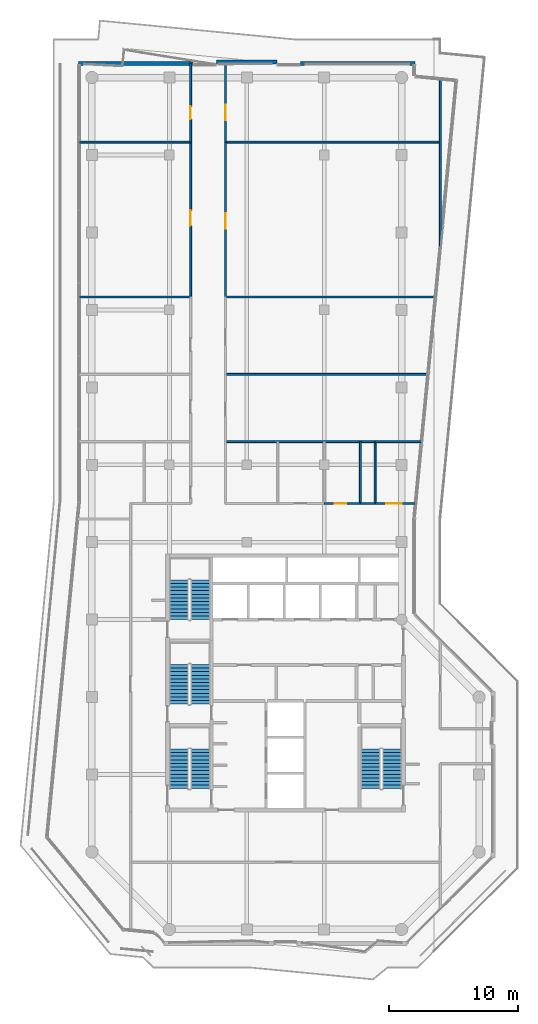
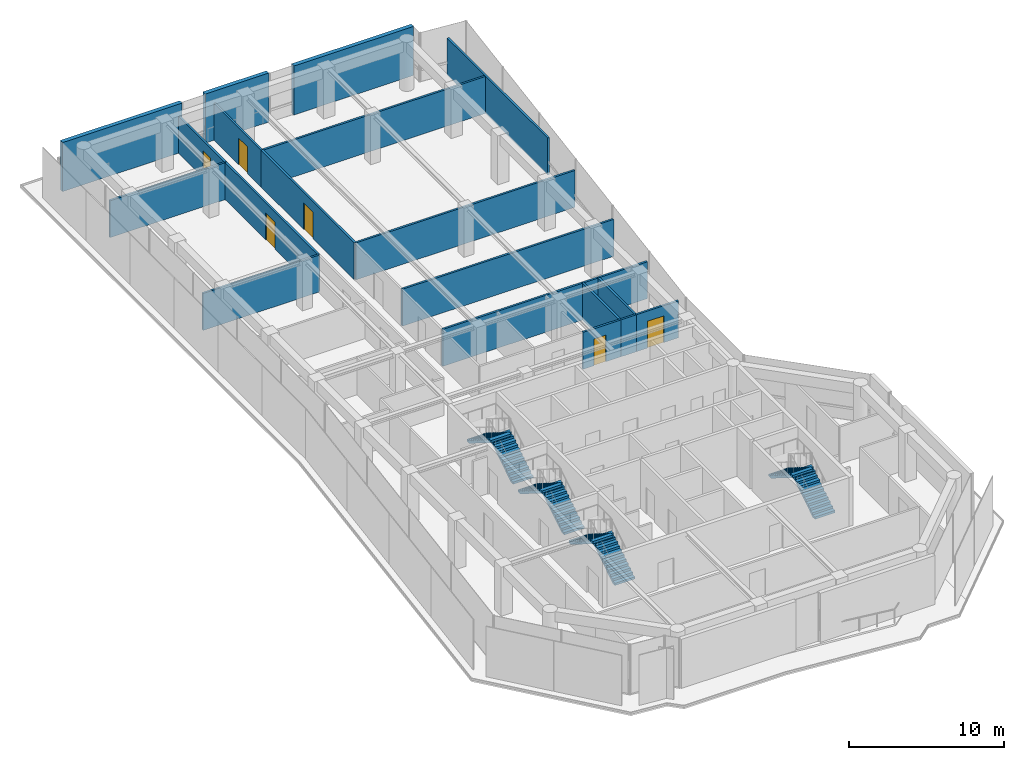
# One storey, part 23 of 25: 20 walls, 8 stair flights, 6 doors, 6 openings, 4 elements without a shape of their own.
"""IFC4 building model written with IfcOpenShell, lengths in metres."""

from ifc_helpers import new_model, si_unit, direction, frame, frame_2d, origin, place, context, subcontext, project, spatial, polyline, rectangle, outline, extrude, material, layer, layer_set, type_object, element, fill, aggregate, save


model = new_model("IFC4")

# Units and contexts
model_context = context("Model", 3, precision=1e-05, world=origin(), true_north=direction((0.0, 1.0)))
body_context = subcontext(model_context, "Body", "Model", "MODEL_VIEW")
ifc_project = project(units=[si_unit("LENGTHUNIT", "METRE"), si_unit("AREAUNIT", "SQUARE_METRE"), si_unit("VOLUMEUNIT", "CUBIC_METRE"), si_unit("PLANEANGLEUNIT", "RADIAN"), si_unit("MASSUNIT", "GRAM", prefix="KILO")], contexts=[model_context])

# Site, building, storey
site_placement = place(None, origin())
site = spatial("IfcSite", under=ifc_project, at=site_placement, CompositionType="ELEMENT")
building_placement = place(site_placement, origin())
building = spatial("IfcBuilding", under=site, at=building_placement, Name="Welwitschia Terrace Campus", CompositionType="ELEMENT")
storey_placement = place(building_placement, frame((0.0, 0.0, 264.199951171875)))
storey = spatial("IfcBuildingStorey", under=building, at=storey_placement, Name="L58", CompositionType="ELEMENT", Elevation=264.199951171875)

# Walls
ifc_material_1 = material(Name="Gypsum board on steel studs", Category="steel")
ifc_layer_1 = layer(ifc_material_1, 0.14990234375)
ifc_layer_set_1 = layer_set([ifc_layer_1], Name="Gypsum board on steel studs")
wall_type_1 = type_object("IfcWallType", Name="Corridor partition 150 EI 30", PredefinedType="PARTITIONING", material=ifc_layer_set_1)
for number, where, z_axis, x_axis, name in (
    (1, (-0.97998046875, 45.0, 0.0), (0.0, 0.0, 1.0), (1.0, 0.0, 0.0), "Partition"),
    (2, (-0.97998046875, 57.0, 0.0), (0.0, 0.0, 1.0), (1.0, 0.0, 0.0), "Partition"),
):
    element("IfcWall", number, at=place(storey_placement, frame(where, z_axis=z_axis, x_axis=x_axis)), inside=storey, type_object=wall_type_1, Name=name, PredefinedType="PARTITIONING", context=body_context, shape_type="SweptSolid", body=[
        extrude(rectangle(XDim=8.6298828125, YDim=0.14990234375, at=frame_2d((4.31494140625, 0.0))), origin(), (0.0, 0.0, 1.0), 2.900146484375),
    ])

# Wall, opening, door
wall_1_placement = place(storey_placement, frame((7.64990234375, 57.0, 0.0), z_axis=(0.0, 0.0, 1.0), x_axis=(0.0, -1.0, 0.0)))
wall_1 = element("IfcWall", 3, at=wall_1_placement, inside=storey, type_object=wall_type_1, Name="Partition", PredefinedType="PARTITIONING", context=body_context, shape_type="SweptSolid", body=[
    extrude(rectangle(XDim=12.0, YDim=0.14990234375, at=frame_2d((6.0, 0.0))), origin(), (0.0, 0.0, 1.0), 2.900146484375),
])
opening_1_placement = place(wall_1_placement, frame((5.300048828125, 0.0, 0.0)))
opening_1 = element("IfcOpeningElement", 4, at=opening_1_placement, cuts=wall_1, Name="Opening DI12", PredefinedType="OPENING", context=body_context, shape_type="SweptSolid", body=[
    extrude(rectangle(XDim=1.199951171875, YDim=2.10009765625, at=frame_2d((0.60009765625, 1.050048828125))), frame((0.0, 0.0849609375, 0.0), z_axis=(0.0, -1.0, 0.0), x_axis=(1.0, 0.0, 0.0)), (0.0, 0.0, 1.0), 0.169921875),
])
ifc_material_2 = material(Name="Timber veneered door", Category="wood")
door_type_1 = type_object("IfcDoorType", Name="Interior door DI12", OperationType="NOTDEFINED", PredefinedType="DOOR", material=ifc_material_2)
door_1_placement = place(opening_1_placement, origin())
door_1 = element("IfcDoor", 5, at=door_1_placement, inside=storey, type_object=door_type_1, Name="Door L58 1044", OperationType="SINGLE_SWING_LEFT", OverallHeight=2.10009765625, OverallWidth=1.199951171875, PredefinedType="DOOR", context=body_context, shape_type="SweptSolid", body=[
    extrude(rectangle(XDim=1.199951171875, YDim=2.10009765625, at=frame_2d((0.60009765625, 1.050048828125))), frame((0.0, 0.02490234375, 0.0), z_axis=(0.0, -1.0, 0.0), x_axis=(1.0, 0.0, 0.0)), (0.0, 0.0, 1.0), 0.050048828125),
])
fill(opening_1, door_1)

wall_2_placement = place(storey_placement, frame((7.64990234375, 57.0, 0.0), z_axis=(0.0, 0.0, 1.0), x_axis=(0.0, 1.0, 0.0)))
wall_2 = element("IfcWall", 6, at=wall_2_placement, inside=storey, type_object=wall_type_1, Name="Partition", PredefinedType="PARTITIONING", context=body_context, shape_type="SweptSolid", body=[
    extrude(rectangle(XDim=6.090087890625, YDim=0.14990234375, at=frame_2d((3.044921875, 0.0))), origin(), (0.0, 0.0, 1.0), 2.900146484375),
])
opening_2_placement = place(wall_2_placement, frame((1.780029296875, 0.0, 0.0)))
opening_2 = element("IfcOpeningElement", 7, at=opening_2_placement, cuts=wall_2, Name="Opening DI10", PredefinedType="OPENING", context=body_context, shape_type="SweptSolid", body=[
    extrude(rectangle(XDim=1.0, YDim=2.10009765625, at=frame_2d((0.5, 1.050048828125))), frame((0.0, 0.0849609375, 0.0), z_axis=(0.0, -1.0, 0.0), x_axis=(1.0, 0.0, 0.0)), (0.0, 0.0, 1.0), 0.169921875),
])
ifc_material_3 = material(Name="Timber veneered door", Category="wood")
door_type_2 = type_object("IfcDoorType", Name="Interior door DI10", OperationType="NOTDEFINED", PredefinedType="DOOR", material=ifc_material_3)
door_2_placement = place(opening_2_placement, origin())
door_2 = element("IfcDoor", 8, at=door_2_placement, inside=storey, type_object=door_type_2, Name="Door L58 1045", OperationType="SINGLE_SWING_RIGHT", OverallHeight=2.10009765625, OverallWidth=1.0, PredefinedType="DOOR", context=body_context, shape_type="SweptSolid", body=[
    extrude(rectangle(XDim=1.0, YDim=2.10009765625, at=frame_2d((0.5, 1.050048828125))), frame((0.0, 0.02490234375, 0.0), z_axis=(0.0, -1.0, 0.0), x_axis=(1.0, 0.0, 0.0)), (0.0, 0.0, 1.0), 0.050048828125),
])
fill(opening_2, door_2)

# Walls
wall_3_placement = place(storey_placement, frame((10.35009765625, 33.800048828125, 0.0), z_axis=(0.0, 0.0, 1.0), x_axis=(1.0, 0.0, 0.0)))
element("IfcWall", 9, at=wall_3_placement, inside=storey, type_object=wall_type_1, Name="Partition", PredefinedType="PARTITIONING", context=body_context, shape_type="SweptSolid", body=[
    extrude(rectangle(XDim=11.599853515625, YDim=0.14990234375, at=frame_2d((5.7998046875, 0.0))), origin(), (0.0, 0.0, 1.0), 2.900146484375),
])
wall_4_placement = place(storey_placement, frame((10.35009765625, 39.0, 0.0), z_axis=(0.0, 0.0, 1.0), x_axis=(1.0, 0.0, 0.0)))
element("IfcWall", 10, at=wall_4_placement, inside=storey, type_object=wall_type_1, Name="Partition", PredefinedType="PARTITIONING", context=body_context, shape_type="SweptSolid", body=[
    extrude(rectangle(XDim=15.699951171875, YDim=0.14990234375, at=frame_2d((7.85009765625, 0.0))), origin(), (0.0, 0.0, 1.0), 2.900146484375),
])

# Wall, opening, door
wall_5_placement = place(storey_placement, frame((10.35009765625, 45.0, 0.0), z_axis=(0.0, 0.0, 1.0), x_axis=(0.0, 1.0, 0.0)))
wall_5 = element("IfcWall", 11, at=wall_5_placement, inside=storey, type_object=wall_type_1, Name="Partition", PredefinedType="PARTITIONING", context=body_context, shape_type="SweptSolid", body=[
    extrude(rectangle(XDim=12.0, YDim=0.14990234375, at=frame_2d((6.0, 0.0))), origin(), (0.0, 0.0, 1.0), 2.900146484375),
])
opening_3_placement = place(wall_5_placement, frame((5.300048828125, 0.0, 0.0)))
opening_3 = element("IfcOpeningElement", 12, at=opening_3_placement, cuts=wall_5, Name="Opening DI12", PredefinedType="OPENING", context=body_context, shape_type="SweptSolid", body=[
    extrude(rectangle(XDim=1.199951171875, YDim=2.10009765625, at=frame_2d((0.60009765625, 1.050048828125))), frame((0.0, 0.0849609375, 0.0), z_axis=(0.0, -1.0, 0.0), x_axis=(1.0, 0.0, 0.0)), (0.0, 0.0, 1.0), 0.169921875),
])
door_3_placement = place(opening_3_placement, origin())
door_3 = element("IfcDoor", 13, at=door_3_placement, inside=storey, type_object=door_type_1, Name="Door L58 1048", OperationType="SINGLE_SWING_LEFT", OverallHeight=2.10009765625, OverallWidth=1.199951171875, PredefinedType="DOOR", context=body_context, shape_type="SweptSolid", body=[
    extrude(rectangle(XDim=1.199951171875, YDim=2.10009765625, at=frame_2d((0.60009765625, 1.050048828125))), frame((0.0, 0.02490234375, 0.0), z_axis=(0.0, -1.0, 0.0), x_axis=(1.0, 0.0, 0.0)), (0.0, 0.0, 1.0), 0.050048828125),
])
fill(opening_3, door_3)

# Wall
wall_6_placement = place(storey_placement, frame((10.35009765625, 45.0, 0.0), z_axis=(0.0, 0.0, 1.0), x_axis=(1.0, 0.0, 0.0)))
element("IfcWall", 14, at=wall_6_placement, inside=storey, type_object=wall_type_1, Name="Partition", PredefinedType="PARTITIONING", context=body_context, shape_type="SweptSolid", body=[
    extrude(rectangle(XDim=16.27978515625, YDim=0.14990234375, at=frame_2d((8.139892578125, 0.0))), origin(), (0.0, 0.0, 1.0), 2.900146484375),
])

# Wall, opening, door
wall_7_placement = place(storey_placement, frame((10.35009765625, 57.0, 0.0), z_axis=(0.0, 0.0, 1.0), x_axis=(0.0, 1.0, 0.0)))
wall_7 = element("IfcWall", 15, at=wall_7_placement, inside=storey, type_object=wall_type_1, Name="Partition", PredefinedType="PARTITIONING", context=body_context, shape_type="SweptSolid", body=[
    extrude(rectangle(XDim=6.090087890625, YDim=0.14990234375, at=frame_2d((3.044921875, 0.0))), origin(), (0.0, 0.0, 1.0), 2.900146484375),
])
opening_4_placement = place(wall_7_placement, frame((1.699951171875, 0.0, 0.0)))
opening_4 = element("IfcOpeningElement", 16, at=opening_4_placement, cuts=wall_7, Name="Opening DI12", PredefinedType="OPENING", context=body_context, shape_type="SweptSolid", body=[
    extrude(rectangle(XDim=1.199951171875, YDim=2.10009765625, at=frame_2d((0.60009765625, 1.050048828125))), frame((0.0, 0.0849609375, 0.0), z_axis=(0.0, -1.0, 0.0), x_axis=(1.0, 0.0, 0.0)), (0.0, 0.0, 1.0), 0.169921875),
])
door_4_placement = place(opening_4_placement, origin())
door_4 = element("IfcDoor", 17, at=door_4_placement, inside=storey, type_object=door_type_1, Name="Door L58 1049", OperationType="SINGLE_SWING_RIGHT", OverallHeight=2.10009765625, OverallWidth=1.199951171875, PredefinedType="DOOR", context=body_context, shape_type="SweptSolid", body=[
    extrude(rectangle(XDim=1.199951171875, YDim=2.10009765625, at=frame_2d((0.60009765625, 1.050048828125))), frame((0.0, 0.02490234375, 0.0), z_axis=(0.0, -1.0, 0.0), x_axis=(1.0, 0.0, 0.0)), (0.0, 0.0, 1.0), 0.050048828125),
])
fill(opening_4, door_4)

# Wall
wall_8_placement = place(storey_placement, frame((10.35009765625, 57.0, 0.0), z_axis=(0.0, 0.0, 1.0), x_axis=(1.0, 0.0, 0.0)))
element("IfcWall", 18, at=wall_8_placement, inside=storey, type_object=wall_type_1, Name="Partition", PredefinedType="PARTITIONING", context=body_context, shape_type="SweptSolid", body=[
    extrude(rectangle(XDim=16.64990234375, YDim=0.14990234375, at=frame_2d((8.324951171875, 0.0))), origin(), (0.0, 0.0, 1.0), 2.900146484375),
])

# Wall, opening, door
wall_9_placement = place(storey_placement, frame((18.0, 29.0, 0.0), z_axis=(0.0, 0.0, 1.0), x_axis=(1.0, 0.0, 0.0)))
wall_9 = element("IfcWall", 19, at=wall_9_placement, inside=storey, type_object=wall_type_1, Name="Partition", PredefinedType="PARTITIONING", context=body_context, shape_type="SweptSolid", body=[
    extrude(rectangle(XDim=2.800048828125, YDim=0.14990234375, at=frame_2d((1.39990234375, 0.0))), origin(), (0.0, 0.0, 1.0), 2.900146484375),
])
opening_5_placement = place(wall_9_placement, frame((0.800048828125, 0.0, 0.0)))
opening_5 = element("IfcOpeningElement", 20, at=opening_5_placement, cuts=wall_9, Name="Opening DI09", PredefinedType="OPENING", context=body_context, shape_type="SweptSolid", body=[
    extrude(rectangle(XDim=0.89990234375, YDim=2.10009765625, at=frame_2d((0.449951171875, 1.050048828125))), frame((0.0, 0.0849609375, 0.0), z_axis=(0.0, -1.0, 0.0), x_axis=(1.0, 0.0, 0.0)), (0.0, 0.0, 1.0), 0.169921875),
])
ifc_material_4 = material(Name="Timber veneered door", Category="wood")
door_type_3 = type_object("IfcDoorType", Name="Interior door DI09", OperationType="NOTDEFINED", PredefinedType="DOOR", material=ifc_material_4)
door_5_placement = place(opening_5_placement, origin())
door_5 = element("IfcDoor", 21, at=door_5_placement, inside=storey, type_object=door_type_3, Name="Door L58 1051", OperationType="SINGLE_SWING_RIGHT", OverallHeight=2.10009765625, OverallWidth=0.89990234375, PredefinedType="DOOR", context=body_context, shape_type="SweptSolid", body=[
    extrude(rectangle(XDim=0.89990234375, YDim=2.10009765625, at=frame_2d((0.449951171875, 1.050048828125))), frame((0.0, 0.02490234375, 0.0), z_axis=(0.0, -1.0, 0.0), x_axis=(1.0, 0.0, 0.0)), (0.0, 0.0, 1.0), 0.050048828125),
])
fill(opening_5, door_5)

# Walls
wall_10_placement = place(storey_placement, frame((20.800048828125, 29.0, 0.0), z_axis=(0.0, 0.0, 1.0), x_axis=(0.0, 1.0, 0.0)))
element("IfcWall", 22, at=wall_10_placement, inside=storey, type_object=wall_type_1, Name="Partition", PredefinedType="PARTITIONING", context=body_context, shape_type="SweptSolid", body=[
    extrude(rectangle(XDim=4.800048828125, YDim=0.14990234375, at=frame_2d((2.39990234375, 0.0))), origin(), (0.0, 0.0, 1.0), 2.900146484375),
])
wall_11_placement = place(storey_placement, frame((20.800048828125, 29.0, 0.0), z_axis=(0.0, 0.0, 1.0), x_axis=(1.0, 0.0, 0.0)))
element("IfcWall", 23, at=wall_11_placement, inside=storey, type_object=wall_type_1, Name="Partition", PredefinedType="PARTITIONING", context=body_context, shape_type="SweptSolid", body=[
    extrude(rectangle(XDim=1.14990234375, YDim=0.14990234375, at=frame_2d((0.574951171875, 0.0))), origin(), (0.0, 0.0, 1.0), 2.900146484375),
])
wall_12_placement = place(storey_placement, frame((21.949951171875, 29.0, 0.0), z_axis=(0.0, 0.0, 1.0), x_axis=(0.0, 1.0, 0.0)))
element("IfcWall", 24, at=wall_12_placement, inside=storey, type_object=wall_type_1, Name="Partition", PredefinedType="PARTITIONING", context=body_context, shape_type="SweptSolid", body=[
    extrude(rectangle(XDim=4.800048828125, YDim=0.14990234375, at=frame_2d((2.39990234375, 0.0))), origin(), (0.0, 0.0, 1.0), 2.900146484375),
])

# Wall, opening, door
wall_13_placement = place(storey_placement, frame((21.949951171875, 29.0, 0.0), z_axis=(0.0, 0.0, 1.0), x_axis=(1.0, 0.0, 0.0)))
wall_13 = element("IfcWall", 25, at=wall_13_placement, inside=storey, type_object=wall_type_1, Name="Partition", PredefinedType="PARTITIONING", context=body_context, shape_type="SweptSolid", body=[
    extrude(rectangle(XDim=3.14013671875, YDim=0.14990234375, at=frame_2d((1.570068359375, 0.0))), origin(), (0.0, 0.0, 1.0), 2.900146484375),
])
opening_6_placement = place(wall_13_placement, frame((0.840087890625, 0.0, 0.0)))
opening_6 = element("IfcOpeningElement", 26, at=opening_6_placement, cuts=wall_13, Name="Opening DX12", PredefinedType="OPENING", context=body_context, shape_type="SweptSolid", body=[
    extrude(rectangle(XDim=1.199951171875, YDim=2.10009765625, at=frame_2d((0.60009765625, 1.050048828125))), frame((0.0, 0.0849609375, 0.0), z_axis=(0.0, -1.0, 0.0), x_axis=(1.0, 0.0, 0.0)), (0.0, 0.0, 1.0), 0.169921875),
])
ifc_material_5 = material(Name="Timber veneered door", Category="wood")
door_type_4 = type_object("IfcDoorType", Name="Interior door DX12", OperationType="NOTDEFINED", PredefinedType="DOOR", material=ifc_material_5)
door_6_placement = place(opening_6_placement, origin())
door_6 = element("IfcDoor", 27, at=door_6_placement, inside=storey, type_object=door_type_4, Name="Door L58 1052", OperationType="SINGLE_SWING_LEFT", OverallHeight=2.10009765625, OverallWidth=1.199951171875, PredefinedType="DOOR", context=body_context, shape_type="SweptSolid", body=[
    extrude(rectangle(XDim=1.199951171875, YDim=2.10009765625, at=frame_2d((0.60009765625, 1.050048828125))), frame((0.0, 0.02490234375, 0.0), z_axis=(0.0, -1.0, 0.0), x_axis=(1.0, 0.0, 0.0)), (0.0, 0.0, 1.0), 0.050048828125),
])
fill(opening_6, door_6)

# Walls
wall_14_placement = place(storey_placement, frame((21.949951171875, 33.800048828125, 0.0), z_axis=(0.0, 0.0, 1.0), x_axis=(1.0, 0.0, 0.0)))
element("IfcWall", 28, at=wall_14_placement, inside=storey, type_object=wall_type_1, Name="Partition", PredefinedType="PARTITIONING", context=body_context, shape_type="SweptSolid", body=[
    extrude(rectangle(XDim=3.60009765625, YDim=0.14990234375, at=frame_2d((1.800048828125, 0.0))), origin(), (0.0, 0.0, 1.0), 2.900146484375),
])
wall_15_placement = place(storey_placement, frame((27.0, 48.942138671875, 0.0), z_axis=(0.0, 0.0, 1.0), x_axis=(0.0, 1.0, 0.0)))
element("IfcWall", 29, at=wall_15_placement, inside=storey, type_object=wall_type_1, Name="Partition", PredefinedType="PARTITIONING", context=body_context, shape_type="SweptSolid", body=[
    extrude(rectangle(XDim=12.94775390625, YDim=0.14990234375, at=frame_2d((6.473876953125, 0.0))), origin(), (0.0, 0.0, 1.0), 2.900146484375),
])
ifc_material_6 = material(Name="Concrete C40/50", Category="concrete")
ifc_layer_2 = layer(ifc_material_6, 0.300048828125)
ifc_layer_set_2 = layer_set([ifc_layer_2], Name="Concrete C40/50")
wall_type_2 = type_object("IfcWallType", Name="Mass wall 300", PredefinedType="SOLIDWALL", material=ifc_layer_set_2)
wall_16_placement = place(storey_placement, frame((25.030029296875, 63.078125, 0.0), z_axis=(0.0, 0.0, 1.0), x_axis=(-1.0, 0.0, 0.0)))
element("IfcWall", 30, at=wall_16_placement, inside=storey, type_object=wall_type_2, Name="Mass wall L58.13.0", PredefinedType="SOLIDWALL", context=body_context, shape_type="SweptSolid", body=[
    extrude(rectangle(XDim=8.87255859375, YDim=0.300048828125, at=frame_2d((4.436279296875, 0.0))), origin(), (0.0, 0.0, 1.0), 3.85009765625),
])
wall_17_placement = place(storey_placement, frame((14.357421875, 63.20361328125, 0.0), z_axis=(0.0, 0.0, 1.0), x_axis=(-1.0, 0.0, 0.0)))
element("IfcWall", 31, at=wall_17_placement, inside=storey, type_object=wall_type_2, Name="Mass wall L58.13.1", PredefinedType="SOLIDWALL", context=body_context, shape_type="SweptSolid", body=[
    extrude(rectangle(XDim=4.71484375, YDim=0.300048828125, at=frame_2d((2.357421875, 0.0))), origin(), (0.0, 0.0, 1.0), 3.85009765625),
])
wall_18_placement = place(storey_placement, frame((7.842529296875, 63.078125, 0.0), z_axis=(0.0, 0.0, 1.0), x_axis=(-1.0, 0.0, 0.0)))
element("IfcWall", 32, at=wall_18_placement, inside=storey, type_object=wall_type_2, Name="Mass wall L58.13.2", PredefinedType="SOLIDWALL", context=body_context, shape_type="SweptSolid", body=[
    extrude(rectangle(XDim=8.87255859375, YDim=0.300048828125, at=frame_2d((4.436279296875, 0.0))), origin(), (0.0, 0.0, 1.0), 3.85009765625),
])

# Stair, stair flights
ifc_material_7 = material(Name="Concrete C40/50", Category="concrete")
stair_type = type_object("IfcStairType", Name="Stair 24R 175 W1500", PredefinedType="HALF_TURN_STAIR", material=ifc_material_7)
stair_1_placement = place(storey_placement, origin())
stair_1 = element("IfcStair", 33, at=stair_1_placement, inside=storey, type_object=stair_type, Name="L58 Exit stair S1", PredefinedType="HALF_TURN_STAIR")
ifc_material_8 = material(Name="Concrete C40/50", Category="concrete")
stair_flight_type = type_object("IfcStairFlightType", Name="Stair flight 24R 175 W1500", PredefinedType="STRAIGHT", material=ifc_material_8)
stair_flight_1_placement = place(storey_placement, frame((8.39990234375, 6.89990234375, 0.0), z_axis=(0.0, 0.0, 1.0), x_axis=(0.0, 1.0, 0.0)))
stair_flight_1 = element("IfcStairFlight", 34, at=stair_flight_1_placement, type_object=stair_flight_type, Name="S1 flight 1", NumberOfRisers=12, NumberOfTreads=11, PredefinedType="STRAIGHT", RiserHeight=0.175, TreadLength=0.28, context=body_context, shape_type="SweptSolid", body=[
    extrude(outline(polyline([(0.0, 0.0), (0.0, 0.175048828125), (0.280029296875, 0.175048828125), (0.280029296875, 0.35009765625), (0.56005859375, 0.35009765625), (0.56005859375, 0.52490234375), (0.840087890625, 0.52490234375), (0.840087890625, 0.699951171875), (1.1201171875, 0.699951171875), (1.1201171875, 0.875), (1.39990234375, 0.875), (1.39990234375, 1.050048828125), (1.679931640625, 1.050048828125), (1.679931640625, 1.22509765625), (1.9599609375, 1.22509765625), (1.9599609375, 1.39990234375), (2.239990234375, 1.39990234375), (2.239990234375, 1.574951171875), (2.52001953125, 1.574951171875), (2.52001953125, 1.75), (2.800048828125, 1.75), (2.800048828125, 1.925048828125), (3.080078125, 1.925048828125), (3.080078125, 2.10009765625), (3.080078125, 1.748291015625), (0.28271484375, 0.0), (0.0, 0.0)])), frame((0.0, 0.75, 0.0), z_axis=(0.0, -1.0, 0.0), x_axis=(1.0, 0.0, 0.0)), (0.0, 0.0, 1.0), 1.5),
])
stair_flight_2_placement = place(storey_placement, frame((6.75, 9.97998046875, 2.10009765625), z_axis=(0.0, 0.0, 1.0), x_axis=(0.0, -1.0, 0.0)))
stair_flight_2 = element("IfcStairFlight", 35, at=stair_flight_2_placement, type_object=stair_flight_type, Name="S1 flight 2", NumberOfRisers=12, NumberOfTreads=11, PredefinedType="STRAIGHT", RiserHeight=0.175, TreadLength=0.28, context=body_context, shape_type="SweptSolid", body=[
    extrude(outline(polyline([(0.0, 0.0), (0.0, 0.175048828125), (0.280029296875, 0.175048828125), (0.280029296875, 0.35009765625), (0.56005859375, 0.35009765625), (0.56005859375, 0.52490234375), (0.840087890625, 0.52490234375), (0.840087890625, 0.699951171875), (1.1201171875, 0.699951171875), (1.1201171875, 0.875), (1.39990234375, 0.875), (1.39990234375, 1.050048828125), (1.679931640625, 1.050048828125), (1.679931640625, 1.22509765625), (1.9599609375, 1.22509765625), (1.9599609375, 1.39990234375), (2.239990234375, 1.39990234375), (2.239990234375, 1.574951171875), (2.52001953125, 1.574951171875), (2.52001953125, 1.75), (2.800048828125, 1.75), (2.800048828125, 1.925048828125), (3.080078125, 1.925048828125), (3.080078125, 2.10009765625), (3.080078125, 1.748291015625), (0.28271484375, 0.0), (0.0, 0.0)])), frame((0.0, 0.75, 0.0), z_axis=(0.0, -1.0, 0.0), x_axis=(1.0, 0.0, 0.0)), (0.0, 0.0, 1.0), 1.5),
])
aggregate(stair_1, [stair_flight_1, stair_flight_2])

stair_2_placement = place(storey_placement, origin())
stair_2 = element("IfcStair", 36, at=stair_2_placement, inside=storey, type_object=stair_type, Name="L58 Exit stair S3", PredefinedType="HALF_TURN_STAIR")
stair_flight_3_placement = place(storey_placement, frame((8.39990234375, 13.449951171875, 0.0), z_axis=(0.0, 0.0, 1.0), x_axis=(0.0, 1.0, 0.0)))
stair_flight_3 = element("IfcStairFlight", 37, at=stair_flight_3_placement, type_object=stair_flight_type, Name="S3 flight 1", NumberOfRisers=12, NumberOfTreads=11, PredefinedType="STRAIGHT", RiserHeight=0.175, TreadLength=0.28, context=body_context, shape_type="SweptSolid", body=[
    extrude(outline(polyline([(0.0, 0.0), (0.0, 0.175048828125), (0.280029296875, 0.175048828125), (0.280029296875, 0.35009765625), (0.56005859375, 0.35009765625), (0.56005859375, 0.52490234375), (0.840087890625, 0.52490234375), (0.840087890625, 0.699951171875), (1.1201171875, 0.699951171875), (1.1201171875, 0.875), (1.39990234375, 0.875), (1.39990234375, 1.050048828125), (1.679931640625, 1.050048828125), (1.679931640625, 1.22509765625), (1.9599609375, 1.22509765625), (1.9599609375, 1.39990234375), (2.239990234375, 1.39990234375), (2.239990234375, 1.574951171875), (2.52001953125, 1.574951171875), (2.52001953125, 1.75), (2.800048828125, 1.75), (2.800048828125, 1.925048828125), (3.080078125, 1.925048828125), (3.080078125, 2.10009765625), (3.080078125, 1.748291015625), (0.28271484375, 0.0), (0.0, 0.0)])), frame((0.0, 0.75, 0.0), z_axis=(0.0, -1.0, 0.0), x_axis=(1.0, 0.0, 0.0)), (0.0, 0.0, 1.0), 1.5),
])
stair_flight_4_placement = place(storey_placement, frame((6.75, 16.530029296875, 2.10009765625), z_axis=(0.0, 0.0, 1.0), x_axis=(0.0, -1.0, 0.0)))
stair_flight_4 = element("IfcStairFlight", 38, at=stair_flight_4_placement, type_object=stair_flight_type, Name="S3 flight 2", NumberOfRisers=12, NumberOfTreads=11, PredefinedType="STRAIGHT", RiserHeight=0.175, TreadLength=0.28, context=body_context, shape_type="SweptSolid", body=[
    extrude(outline(polyline([(0.0, 0.0), (0.0, 0.175048828125), (0.280029296875, 0.175048828125), (0.280029296875, 0.35009765625), (0.56005859375, 0.35009765625), (0.56005859375, 0.52490234375), (0.840087890625, 0.52490234375), (0.840087890625, 0.699951171875), (1.1201171875, 0.699951171875), (1.1201171875, 0.875), (1.39990234375, 0.875), (1.39990234375, 1.050048828125), (1.679931640625, 1.050048828125), (1.679931640625, 1.22509765625), (1.9599609375, 1.22509765625), (1.9599609375, 1.39990234375), (2.239990234375, 1.39990234375), (2.239990234375, 1.574951171875), (2.52001953125, 1.574951171875), (2.52001953125, 1.75), (2.800048828125, 1.75), (2.800048828125, 1.925048828125), (3.080078125, 1.925048828125), (3.080078125, 2.10009765625), (3.080078125, 1.748291015625), (0.28271484375, 0.0), (0.0, 0.0)])), frame((0.0, 0.75, 0.0), z_axis=(0.0, -1.0, 0.0), x_axis=(1.0, 0.0, 0.0)), (0.0, 0.0, 1.0), 1.5),
])
aggregate(stair_2, [stair_flight_3, stair_flight_4])

stair_3_placement = place(storey_placement, origin())
stair_3 = element("IfcStair", 39, at=stair_3_placement, inside=storey, type_object=stair_type, Name="L58 Exit stair S4", PredefinedType="HALF_TURN_STAIR")
stair_flight_5_placement = place(storey_placement, frame((8.39990234375, 20.0, 0.0), z_axis=(0.0, 0.0, 1.0), x_axis=(0.0, 1.0, 0.0)))
stair_flight_5 = element("IfcStairFlight", 40, at=stair_flight_5_placement, type_object=stair_flight_type, Name="S4 flight 1", NumberOfRisers=12, NumberOfTreads=11, PredefinedType="STRAIGHT", RiserHeight=0.175, TreadLength=0.28, context=body_context, shape_type="SweptSolid", body=[
    extrude(outline(polyline([(0.0, 0.0), (0.0, 0.175048828125), (0.280029296875, 0.175048828125), (0.280029296875, 0.35009765625), (0.56005859375, 0.35009765625), (0.56005859375, 0.52490234375), (0.840087890625, 0.52490234375), (0.840087890625, 0.699951171875), (1.1201171875, 0.699951171875), (1.1201171875, 0.875), (1.39990234375, 0.875), (1.39990234375, 1.050048828125), (1.679931640625, 1.050048828125), (1.679931640625, 1.22509765625), (1.9599609375, 1.22509765625), (1.9599609375, 1.39990234375), (2.239990234375, 1.39990234375), (2.239990234375, 1.574951171875), (2.52001953125, 1.574951171875), (2.52001953125, 1.75), (2.800048828125, 1.75), (2.800048828125, 1.925048828125), (3.080078125, 1.925048828125), (3.080078125, 2.10009765625), (3.080078125, 1.748291015625), (0.28271484375, 0.0), (0.0, 0.0)])), frame((0.0, 0.75, 0.0), z_axis=(0.0, -1.0, 0.0), x_axis=(1.0, 0.0, 0.0)), (0.0, 0.0, 1.0), 1.5),
])
stair_flight_6_placement = place(storey_placement, frame((6.75, 23.080078125, 2.10009765625), z_axis=(0.0, 0.0, 1.0), x_axis=(0.0, -1.0, 0.0)))
stair_flight_6 = element("IfcStairFlight", 41, at=stair_flight_6_placement, type_object=stair_flight_type, Name="S4 flight 2", NumberOfRisers=12, NumberOfTreads=11, PredefinedType="STRAIGHT", RiserHeight=0.175, TreadLength=0.28, context=body_context, shape_type="SweptSolid", body=[
    extrude(outline(polyline([(0.0, 0.0), (0.0, 0.175048828125), (0.280029296875, 0.175048828125), (0.280029296875, 0.35009765625), (0.56005859375, 0.35009765625), (0.56005859375, 0.52490234375), (0.840087890625, 0.52490234375), (0.840087890625, 0.699951171875), (1.1201171875, 0.699951171875), (1.1201171875, 0.875), (1.39990234375, 0.875), (1.39990234375, 1.050048828125), (1.679931640625, 1.050048828125), (1.679931640625, 1.22509765625), (1.9599609375, 1.22509765625), (1.9599609375, 1.39990234375), (2.239990234375, 1.39990234375), (2.239990234375, 1.574951171875), (2.52001953125, 1.574951171875), (2.52001953125, 1.75), (2.800048828125, 1.75), (2.800048828125, 1.925048828125), (3.080078125, 1.925048828125), (3.080078125, 2.10009765625), (3.080078125, 1.748291015625), (0.28271484375, 0.0), (0.0, 0.0)])), frame((0.0, 0.75, 0.0), z_axis=(0.0, -1.0, 0.0), x_axis=(1.0, 0.0, 0.0)), (0.0, 0.0, 1.0), 1.5),
])
aggregate(stair_3, [stair_flight_5, stair_flight_6])

stair_4_placement = place(storey_placement, origin())
stair_4 = element("IfcStair", 42, at=stair_4_placement, inside=storey, type_object=stair_type, Name="L58 Exit stair S2", PredefinedType="HALF_TURN_STAIR")
stair_flight_7_placement = place(storey_placement, frame((23.25, 6.89990234375, 0.0), z_axis=(0.0, 0.0, 1.0), x_axis=(0.0, 1.0, 0.0)))
stair_flight_7 = element("IfcStairFlight", 43, at=stair_flight_7_placement, type_object=stair_flight_type, Name="S2 flight 1", NumberOfRisers=12, NumberOfTreads=11, PredefinedType="STRAIGHT", RiserHeight=0.175, TreadLength=0.28, context=body_context, shape_type="SweptSolid", body=[
    extrude(outline(polyline([(0.0, 0.0), (0.0, 0.175048828125), (0.280029296875, 0.175048828125), (0.280029296875, 0.35009765625), (0.56005859375, 0.35009765625), (0.56005859375, 0.52490234375), (0.840087890625, 0.52490234375), (0.840087890625, 0.699951171875), (1.1201171875, 0.699951171875), (1.1201171875, 0.875), (1.39990234375, 0.875), (1.39990234375, 1.050048828125), (1.679931640625, 1.050048828125), (1.679931640625, 1.22509765625), (1.9599609375, 1.22509765625), (1.9599609375, 1.39990234375), (2.239990234375, 1.39990234375), (2.239990234375, 1.574951171875), (2.52001953125, 1.574951171875), (2.52001953125, 1.75), (2.800048828125, 1.75), (2.800048828125, 1.925048828125), (3.080078125, 1.925048828125), (3.080078125, 2.10009765625), (3.080078125, 1.748291015625), (0.28271484375, 0.0), (0.0, 0.0)])), frame((0.0, 0.75, 0.0), z_axis=(0.0, -1.0, 0.0), x_axis=(1.0, 0.0, 0.0)), (0.0, 0.0, 1.0), 1.5),
])
stair_flight_8_placement = place(storey_placement, frame((21.60009765625, 9.97998046875, 2.10009765625), z_axis=(0.0, 0.0, 1.0), x_axis=(0.0, -1.0, 0.0)))
stair_flight_8 = element("IfcStairFlight", 44, at=stair_flight_8_placement, type_object=stair_flight_type, Name="S2 flight 2", NumberOfRisers=12, NumberOfTreads=11, PredefinedType="STRAIGHT", RiserHeight=0.175, TreadLength=0.28, context=body_context, shape_type="SweptSolid", body=[
    extrude(outline(polyline([(0.0, 0.0), (0.0, 0.175048828125), (0.280029296875, 0.175048828125), (0.280029296875, 0.35009765625), (0.56005859375, 0.35009765625), (0.56005859375, 0.52490234375), (0.840087890625, 0.52490234375), (0.840087890625, 0.699951171875), (1.1201171875, 0.699951171875), (1.1201171875, 0.875), (1.39990234375, 0.875), (1.39990234375, 1.050048828125), (1.679931640625, 1.050048828125), (1.679931640625, 1.22509765625), (1.9599609375, 1.22509765625), (1.9599609375, 1.39990234375), (2.239990234375, 1.39990234375), (2.239990234375, 1.574951171875), (2.52001953125, 1.574951171875), (2.52001953125, 1.75), (2.800048828125, 1.75), (2.800048828125, 1.925048828125), (3.080078125, 1.925048828125), (3.080078125, 2.10009765625), (3.080078125, 1.748291015625), (0.28271484375, 0.0), (0.0, 0.0)])), frame((0.0, 0.75, 0.0), z_axis=(0.0, -1.0, 0.0), x_axis=(1.0, 0.0, 0.0)), (0.0, 0.0, 1.0), 1.5),
])
aggregate(stair_4, [stair_flight_7, stair_flight_8])

save(model, "model.ifc")
